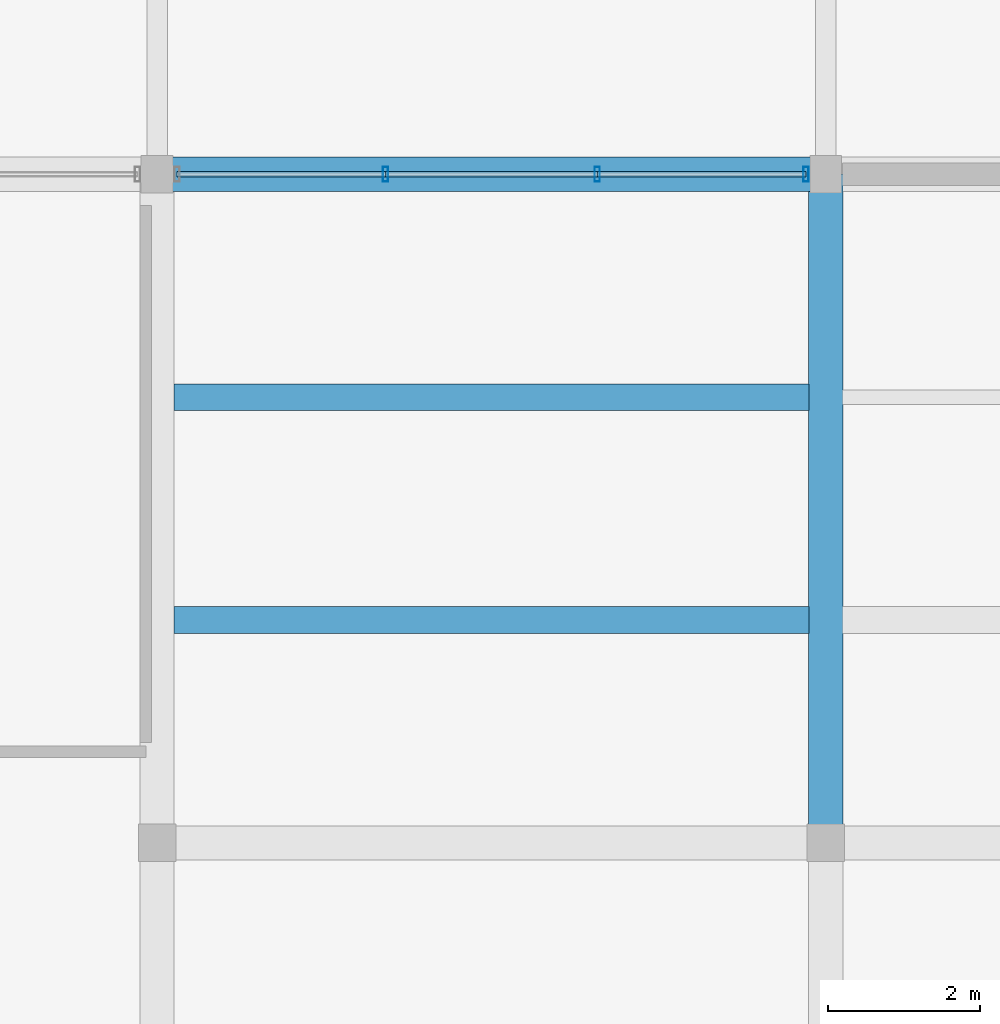
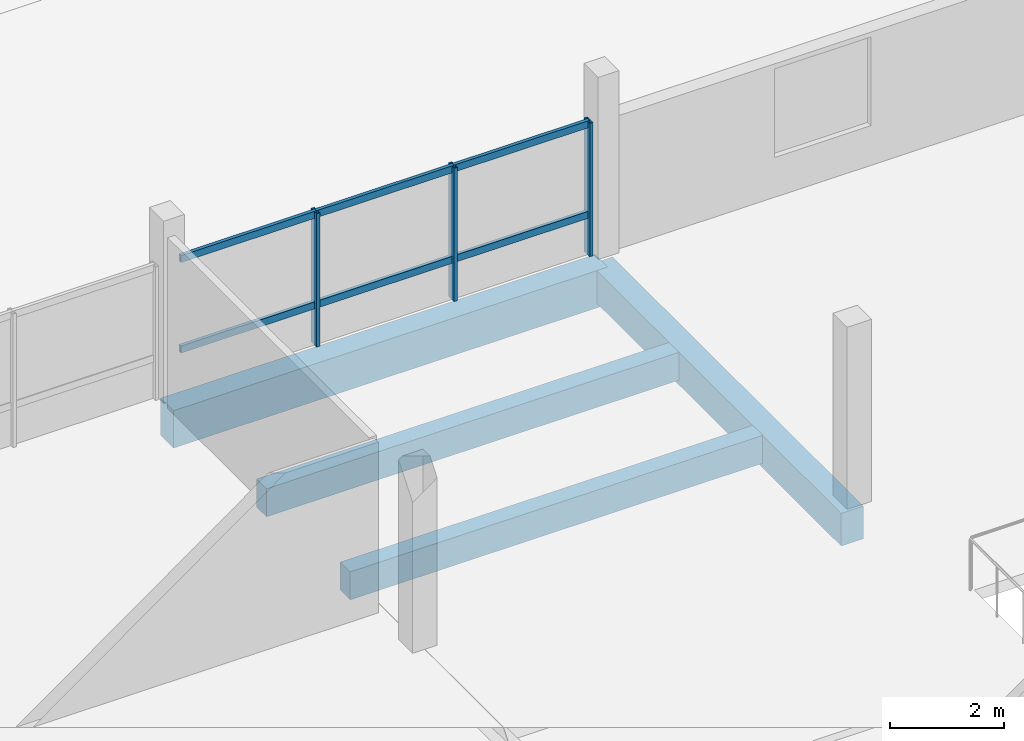
# One storey, part 41 of 62: 9 members, 4 beams, 1 element without a shape of its own.
"""IFC4 building model written with IfcOpenShell, lengths in metres."""

from ifc_helpers import new_model, si_unit, direction, frame, origin, origin_2d, place, context, subcontext, project, spatial, rectangle, hollow_rectangle, extrude, material, layer, layer_set, material_profile, profile_set, type_object, element, aggregate, save


model = new_model("IFC4")

# Units and contexts
model_context = context("Model", 3, precision=1e-05, world=origin(), true_north=direction((0.0, 1.0)))
body_context = subcontext(model_context, "Body", "Model", "MODEL_VIEW")
ifc_project = project(units=[si_unit("LENGTHUNIT", "METRE"), si_unit("AREAUNIT", "SQUARE_METRE"), si_unit("VOLUMEUNIT", "CUBIC_METRE"), si_unit("PLANEANGLEUNIT", "RADIAN"), si_unit("MASSUNIT", "GRAM", prefix="KILO")], contexts=[model_context])

# Site, building, storey
site_placement = place(None, origin())
site = spatial("IfcSite", under=ifc_project, at=site_placement, CompositionType="ELEMENT")
building_placement = place(site_placement, origin())
building = spatial("IfcBuilding", under=site, at=building_placement, Name="Meriwether Solvik Hall", CompositionType="ELEMENT")
storey_placement = place(building_placement, frame((0.0, 0.0, 14.39990234375)))
storey = spatial("IfcBuildingStorey", under=building, at=storey_placement, Name="L03", CompositionType="ELEMENT", Elevation=14.39990234375)

# Beams
ifc_material_1 = material(Name="Concrete C40/50", Category="concrete")
ifc_material_profile_1 = material_profile(ifc_material_1, rectangle(XDim=0.35009765625, YDim=0.60009765625, at=origin_2d()), Name="RCB-350X600")
ifc_profile_set_1 = profile_set([ifc_material_profile_1], Name="Concrete C40/50")
beam_type_1 = type_object("IfcBeamType", Name="BM-RC-350X600", PredefinedType="JOIST", material=ifc_profile_set_1)
for number, where, z_axis, x_axis, name in (
    (1, (114.419921875, 86.933349609375, -0.544921875), (1.0, 0.0, 0.0), (0.0, 1.0, 0.0), "Secondary Floor Joist 13/J_J1 (L03)"),
    (2, (114.419921875, 89.86669921875, -0.544921875), (1.0, 0.0, 0.0), (0.0, 1.0, 0.0), "Secondary Floor Joist 13/J_J2 (L03)"),
):
    element("IfcBeam", number, at=place(storey_placement, frame(where, z_axis=z_axis, x_axis=x_axis)), inside=storey, type_object=beam_type_1, Name=name, PredefinedType="JOIST", context=body_context, shape_type="SweptSolid", body=[
        extrude(rectangle(XDim=0.35009765625, YDim=0.60009765625, at=origin_2d()), origin(), (0.0, 0.0, 1.0), 8.360107421875),
    ])
ifc_material_2 = material(Name="Concrete C40/50", Category="concrete")
ifc_material_profile_2 = material_profile(ifc_material_2, rectangle(XDim=0.449951171875, YDim=0.699951171875, at=origin_2d()), Name="RCB-450X700")
ifc_profile_set_2 = profile_set([ifc_material_profile_2], Name="Concrete C40/50")
beam_type_2 = type_object("IfcBeamType", Name="BM-RC-450X700", PredefinedType="BEAM", material=ifc_profile_set_2)
beam_1_placement = place(storey_placement, frame((123.0, 84.0, -0.594970703125), z_axis=(0.0, 1.0, 0.0), x_axis=(-1.0, 0.0, 0.0)))
element("IfcBeam", 3, at=beam_1_placement, inside=storey, type_object=beam_type_2, Name="Podium Girder 14:J-K (L03)", PredefinedType="BEAM", context=body_context, shape_type="SweptSolid", body=[
    extrude(rectangle(XDim=0.449951171875, YDim=0.699951171875, at=origin_2d()), origin(), (0.0, 0.0, 1.0), 8.800048828125),
])
ifc_material_3 = material(Name="Concrete C40/50", Category="concrete")
ifc_material_profile_3 = material_profile(ifc_material_3, rectangle(XDim=0.449951171875, YDim=0.800048828125, at=origin_2d()), Name="RCB-450X800")
ifc_profile_set_3 = profile_set([ifc_material_profile_3], Name="Concrete C40/50")
beam_type_3 = type_object("IfcBeamType", Name="BM-RC-450X800", PredefinedType="BEAM", material=ifc_profile_set_3)
beam_2_placement = place(storey_placement, frame((114.199951171875, 92.800048828125, -0.64501953125), z_axis=(1.0, 0.0, 0.0), x_axis=(0.0, 1.0, 0.0)))
element("IfcBeam", 4, at=beam_2_placement, inside=storey, type_object=beam_type_3, Name="Podium Girder K:13-14 (L03)", PredefinedType="BEAM", context=body_context, shape_type="SweptSolid", body=[
    extrude(rectangle(XDim=0.449951171875, YDim=0.800048828125, at=origin_2d()), origin(), (0.0, 0.0, 1.0), 8.800048828125),
])

# Curtain wall, members
ifc_material_4 = material(Name="Thermally Broken Anodised Aluminium 6063-T6 and Low-E Glass", Category="aluminium")
ifc_layer = layer(ifc_material_4, 0.179931640625)
ifc_layer_set = layer_set([ifc_layer], Name="Thermally Broken Anodised Aluminium 6063-T6 and Low-E Glass")
curtain_wall_type = type_object("IfcCurtainWallType", Name="CW-UNIT-E", PredefinedType="USERDEFINED", material=ifc_layer_set)
curtain_wall_placement = place(storey_placement, origin())
curtain_wall = element("IfcCurtainWall", 5, at=curtain_wall_placement, inside=storey, type_object=curtain_wall_type, Name="Curtain Wall wing_XK_13_18 (L03)", ObjectType="UNITISED CURTAIN WALL", PredefinedType="USERDEFINED")
ifc_material_5 = material(Name="Anodised Aluminium 6063-T6", Category="aluminium")
ifc_material_profile_4 = material_profile(ifc_material_5, hollow_rectangle(XDim=0.070068359375, YDim=0.199951171875, WallThickness=0.0048828125, at=origin_2d()), Name="CWM-70X200")
ifc_profile_set_4 = profile_set([ifc_material_profile_4], Name="Anodised Aluminium 6063-T6")
member_type_1 = type_object("IfcMemberType", Name="CW-MUL-70X200", PredefinedType="MULLION", material=ifc_profile_set_4)
member_1_placement = place(storey_placement, frame((117.207275390625, 92.800048828125, 0.0), z_axis=(0.0, 0.0, 1.0), x_axis=(1.0, 0.0, 0.0)))
member_1 = element("IfcMember", 6, at=member_1_placement, type_object=member_type_1, Name="Curtain Wall Mullion 2", PredefinedType="MULLION", context=body_context, shape_type="SweptSolid", body=[
    extrude(hollow_rectangle(XDim=0.070068359375, YDim=0.199951171875, WallThickness=0.0048828125, at=origin_2d()), origin(), (0.0, 0.0, 1.0), 2.85498046875),
])
member_2_placement = place(storey_placement, frame((119.99267578125, 92.800048828125, 0.0), z_axis=(0.0, 0.0, 1.0), x_axis=(1.0, 0.0, 0.0)))
member_2 = element("IfcMember", 7, at=member_2_placement, type_object=member_type_1, Name="Curtain Wall Mullion 3", PredefinedType="MULLION", context=body_context, shape_type="SweptSolid", body=[
    extrude(hollow_rectangle(XDim=0.070068359375, YDim=0.199951171875, WallThickness=0.0048828125, at=origin_2d()), origin(), (0.0, 0.0, 1.0), 2.85498046875),
])
member_3_placement = place(storey_placement, frame((122.739990234375, 92.800048828125, 0.0), z_axis=(0.0, 0.0, 1.0), x_axis=(1.0, 0.0, 0.0)))
member_3 = element("IfcMember", 8, at=member_3_placement, type_object=member_type_1, Name="Curtain Wall Mullion 4", PredefinedType="MULLION", context=body_context, shape_type="SweptSolid", body=[
    extrude(hollow_rectangle(XDim=0.070068359375, YDim=0.199951171875, WallThickness=0.0048828125, at=origin_2d()), origin(), (0.0, 0.0, 1.0), 2.85498046875),
])
ifc_material_6 = material(Name="Anodised Aluminium 6063-T6", Category="aluminium")
ifc_material_profile_5 = material_profile(ifc_material_6, hollow_rectangle(XDim=0.070068359375, YDim=0.14990234375, WallThickness=0.0048828125, at=origin_2d()), Name="CWT-70X150")
ifc_profile_set_5 = profile_set([ifc_material_profile_5], Name="Anodised Aluminium 6063-T6")
member_type_2 = type_object("IfcMemberType", Name="CW-TRN-70X150", PredefinedType="USERDEFINED", material=ifc_profile_set_5)
member_4_placement = place(storey_placement, frame((114.4599609375, 92.800048828125, 0.856689453125), z_axis=(1.0, 0.0, 0.0), x_axis=(0.0, 1.0, 0.0)))
member_4 = element("IfcMember", 9, at=member_4_placement, type_object=member_type_2, Name="Curtain Wall Transom 1-sill", ObjectType="TRANSOM", PredefinedType="USERDEFINED", context=body_context, shape_type="SweptSolid", body=[
    extrude(hollow_rectangle(XDim=0.070068359375, YDim=0.14990234375, WallThickness=0.0048828125, at=origin_2d()), origin(), (0.0, 0.0, 1.0), 2.747314453125),
])
member_5_placement = place(storey_placement, frame((114.4599609375, 92.800048828125, 2.795166015625), z_axis=(1.0, 0.0, 0.0), x_axis=(0.0, 1.0, 0.0)))
member_5 = element("IfcMember", 10, at=member_5_placement, type_object=member_type_2, Name="Curtain Wall Transom 1-head", ObjectType="TRANSOM", PredefinedType="USERDEFINED", context=body_context, shape_type="SweptSolid", body=[
    extrude(hollow_rectangle(XDim=0.070068359375, YDim=0.14990234375, WallThickness=0.0048828125, at=origin_2d()), origin(), (0.0, 0.0, 1.0), 2.747314453125),
])
member_6_placement = place(storey_placement, frame((117.207275390625, 92.800048828125, 0.856689453125), z_axis=(1.0, 0.0, 0.0), x_axis=(0.0, 1.0, 0.0)))
member_6 = element("IfcMember", 11, at=member_6_placement, type_object=member_type_2, Name="Curtain Wall Transom 2-sill", ObjectType="TRANSOM", PredefinedType="USERDEFINED", context=body_context, shape_type="SweptSolid", body=[
    extrude(hollow_rectangle(XDim=0.070068359375, YDim=0.14990234375, WallThickness=0.0048828125, at=origin_2d()), origin(), (0.0, 0.0, 1.0), 2.785400390625),
])
member_7_placement = place(storey_placement, frame((117.207275390625, 92.800048828125, 2.795166015625), z_axis=(1.0, 0.0, 0.0), x_axis=(0.0, 1.0, 0.0)))
member_7 = element("IfcMember", 12, at=member_7_placement, type_object=member_type_2, Name="Curtain Wall Transom 2-head", ObjectType="TRANSOM", PredefinedType="USERDEFINED", context=body_context, shape_type="SweptSolid", body=[
    extrude(hollow_rectangle(XDim=0.070068359375, YDim=0.14990234375, WallThickness=0.0048828125, at=origin_2d()), origin(), (0.0, 0.0, 1.0), 2.785400390625),
])
member_8_placement = place(storey_placement, frame((119.99267578125, 92.800048828125, 0.856689453125), z_axis=(1.0, 0.0, 0.0), x_axis=(0.0, 1.0, 0.0)))
member_8 = element("IfcMember", 13, at=member_8_placement, type_object=member_type_2, Name="Curtain Wall Transom 3-sill", ObjectType="TRANSOM", PredefinedType="USERDEFINED", context=body_context, shape_type="SweptSolid", body=[
    extrude(hollow_rectangle(XDim=0.070068359375, YDim=0.14990234375, WallThickness=0.0048828125, at=origin_2d()), origin(), (0.0, 0.0, 1.0), 2.747314453125),
])
member_9_placement = place(storey_placement, frame((119.99267578125, 92.800048828125, 2.795166015625), z_axis=(1.0, 0.0, 0.0), x_axis=(0.0, 1.0, 0.0)))
member_9 = element("IfcMember", 14, at=member_9_placement, type_object=member_type_2, Name="Curtain Wall Transom 3-head", ObjectType="TRANSOM", PredefinedType="USERDEFINED", context=body_context, shape_type="SweptSolid", body=[
    extrude(hollow_rectangle(XDim=0.070068359375, YDim=0.14990234375, WallThickness=0.0048828125, at=origin_2d()), origin(), (0.0, 0.0, 1.0), 2.747314453125),
])
aggregate(curtain_wall, [member_1, member_2, member_3, member_4, member_5, member_6, member_7, member_8, member_9])

save(model, "model.ifc")
